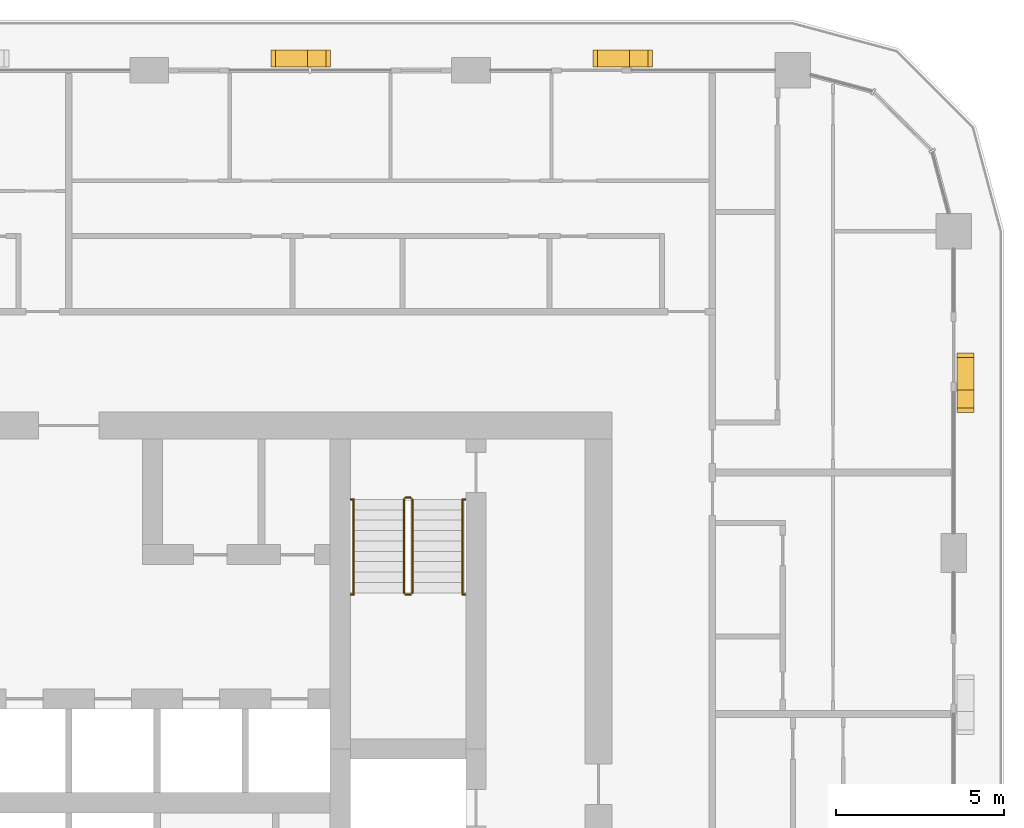
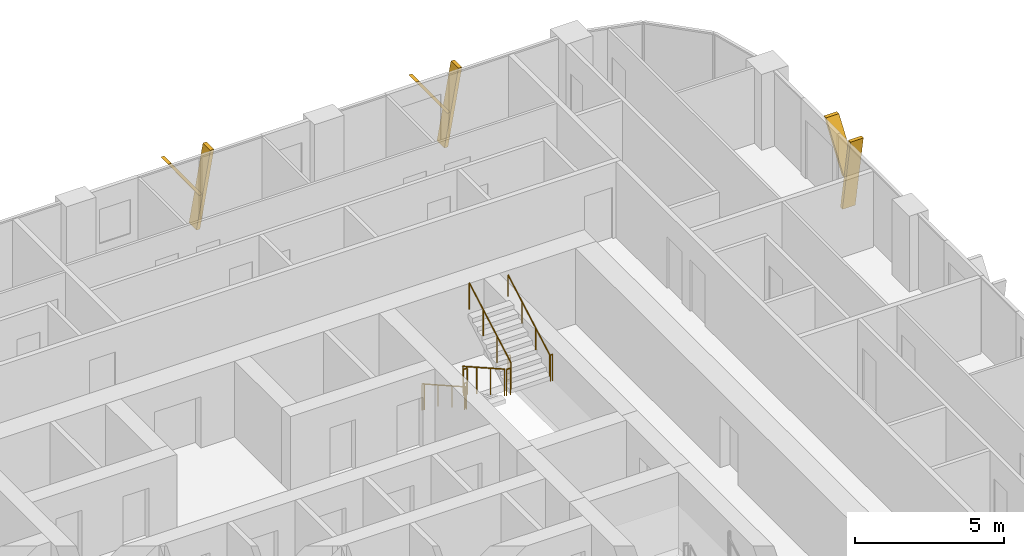
# One storey, part 22 of 22: 10 railings, 6 shading devices.
"""IFC4 building model written with IfcOpenShell, lengths in metres."""

from ifc_helpers import new_model, si_unit, direction, frame, origin, origin_2d, place, context, subcontext, project, spatial, polyline, circle, outline, extrude, material, type_object, element, save


model = new_model("IFC4")

# Units and contexts
model_context = context("Model", 3, precision=1e-05, world=origin(), true_north=direction((0.0, 1.0)))
body_context = subcontext(model_context, "Body", "Model", "MODEL_VIEW")
ifc_project = project(units=[si_unit("LENGTHUNIT", "METRE"), si_unit("AREAUNIT", "SQUARE_METRE"), si_unit("VOLUMEUNIT", "CUBIC_METRE"), si_unit("PLANEANGLEUNIT", "RADIAN"), si_unit("MASSUNIT", "GRAM", prefix="KILO")], contexts=[model_context])

# Site, building, storey
site_placement = place(None, origin())
site = spatial("IfcSite", under=ifc_project, at=site_placement, CompositionType="ELEMENT")
building_placement = place(site_placement, origin())
building = spatial("IfcBuilding", under=site, at=building_placement, Name="Madar Terraces", CompositionType="ELEMENT")
storey_placement = place(building_placement, frame((0.0, 0.0, 170.0)))
storey = spatial("IfcBuildingStorey", under=building, at=storey_placement, Name="L44", CompositionType="ELEMENT", Elevation=170.0)

# Shading devices
ifc_material_1 = material(Name="Aluminium, black anodised", Category="aluminium")
shading_device_type = type_object("IfcShadingDeviceType", Name="Facade fin blade 140 x 500", PredefinedType="USERDEFINED", material=ifc_material_1)
shading_device_1_placement = place(storey_placement, frame((57.949951171875, 38.330078125, 0.0), z_axis=(0.0, 0.0, 1.0), x_axis=(0.0, 1.0, 0.0)))
element("IfcShadingDevice", 1, at=shading_device_1_placement, inside=storey, type_object=shading_device_type, Name="FIN L44 E4", ObjectType="FIN", PredefinedType="USERDEFINED", context=body_context, shape_type="SweptSolid", body=[
    extrude(outline(polyline([(0.0, 0.0), (0.139892578125, 0.0), (-0.403076171875, 3.080078125), (-0.54296875, 3.080078125), (0.0, 0.0)])), frame((0.0, 0.25, 0.0), z_axis=(0.0, -1.0, 0.0), x_axis=(1.0, 0.0, 0.0)), (0.0, 0.0, 1.0), 0.5),
])
shading_device_2_placement = place(storey_placement, frame((57.949951171875, 38.2255859375, 1.385986328125), z_axis=(0.0, 0.0, 1.0), x_axis=(0.0, 1.0, 0.0)))
element("IfcShadingDevice", 2, at=shading_device_2_placement, inside=storey, type_object=shading_device_type, Name="FIN L44 E4 branch", ObjectType="FIN", PredefinedType="USERDEFINED", context=body_context, shape_type="SweptSolid", body=[
    extrude(outline(polyline([(0.0, 0.0), (0.14013671875, 0.0), (1.34130859375, 1.694091796875), (1.201416015625, 1.694091796875), (0.0, 0.0)])), frame((0.0, 0.25, 0.0), z_axis=(0.0, -1.0, 0.0), x_axis=(1.0, 0.0, 0.0)), (0.0, 0.0, 1.0), 0.5),
])
shading_device_3_placement = place(storey_placement, frame((48.070068359375, 48.35009765625, 0.0), z_axis=(0.0, 0.0, 1.0), x_axis=(-1.0, 0.0, 0.0)))
element("IfcShadingDevice", 3, at=shading_device_3_placement, inside=storey, type_object=shading_device_type, Name="FIN L44 N1", ObjectType="FIN", PredefinedType="USERDEFINED", context=body_context, shape_type="SweptSolid", body=[
    extrude(outline(polyline([(0.0, 0.0), (0.14013671875, 0.0), (-0.403076171875, 3.080078125), (-0.54296875, 3.080078125), (0.0, 0.0)])), frame((0.0, 0.25, 0.0), z_axis=(0.0, -1.0, 0.0), x_axis=(1.0, 0.0, 0.0)), (0.0, 0.0, 1.0), 0.5),
])
shading_device_4_placement = place(storey_placement, frame((48.17431640625, 48.35009765625, 1.385986328125), z_axis=(0.0, 0.0, 1.0), x_axis=(-1.0, 0.0, 0.0)))
element("IfcShadingDevice", 4, at=shading_device_4_placement, inside=storey, type_object=shading_device_type, Name="FIN L44 N1 branch", ObjectType="FIN", PredefinedType="USERDEFINED", context=body_context, shape_type="SweptSolid", body=[
    extrude(outline(polyline([(0.0, 0.0), (0.139892578125, 0.0), (1.34130859375, 1.694091796875), (1.201416015625, 1.694091796875), (0.0, 0.0)])), frame((0.0, 0.25, 0.0), z_axis=(0.0, -1.0, 0.0), x_axis=(1.0, 0.0, 0.0)), (0.0, 0.0, 1.0), 0.5),
])
shading_device_5_placement = place(storey_placement, frame((38.469970703125, 48.35009765625, 0.0), z_axis=(0.0, 0.0, 1.0), x_axis=(-1.0, 0.0, 0.0)))
element("IfcShadingDevice", 5, at=shading_device_5_placement, inside=storey, type_object=shading_device_type, Name="FIN L44 N2", ObjectType="FIN", PredefinedType="USERDEFINED", context=body_context, shape_type="SweptSolid", body=[
    extrude(outline(polyline([(0.0, 0.0), (0.139892578125, 0.0), (-0.403076171875, 3.080078125), (-0.54296875, 3.080078125), (0.0, 0.0)])), frame((0.0, 0.25, 0.0), z_axis=(0.0, -1.0, 0.0), x_axis=(1.0, 0.0, 0.0)), (0.0, 0.0, 1.0), 0.5),
])
shading_device_6_placement = place(storey_placement, frame((38.574462890625, 48.35009765625, 1.385986328125), z_axis=(0.0, 0.0, 1.0), x_axis=(-1.0, 0.0, 0.0)))
element("IfcShadingDevice", 6, at=shading_device_6_placement, inside=storey, type_object=shading_device_type, Name="FIN L44 N2 branch", ObjectType="FIN", PredefinedType="USERDEFINED", context=body_context, shape_type="SweptSolid", body=[
    extrude(outline(polyline([(0.0, 0.0), (0.14013671875, 0.0), (1.34130859375, 1.694091796875), (1.201416015625, 1.694091796875), (0.0, 0.0)])), frame((0.0, 0.25, 0.0), z_axis=(0.0, -1.0, 0.0), x_axis=(1.0, 0.0, 0.0)), (0.0, 0.0, 1.0), 0.5),
])

# Railings
ifc_material_2 = material(Name="Stainless steel railing", Category="steel")
railing_type_1 = type_object("IfcRailingType", Name="Stair guard 1100", PredefinedType="GUARDRAIL", material=ifc_material_2)
railing_1_placement = place(storey_placement, frame((41.199951171875, 35.199951171875, 0.175048828125)))
element("IfcRailing", 7, at=railing_1_placement, inside=storey, type_object=railing_type_1, Name="L44 ST2 stair guard 1", PredefinedType="GUARDRAIL", context=body_context, shape_type="SweptSolid", body=[
    extrude(circle(Radius=0.02392578125, at=origin_2d()), frame((0.0, 0.0, 1.076171875), z_axis=(0.0, -0.870833779661, 0.491577591232), x_axis=(1.0, 0.0, 0.0)), (0.0, 0.0, 1.0), 3.203857421875),
    extrude(circle(Radius=0.02099609375, at=origin_2d()), origin(), (0.0, 0.0, 1.0), 1.052001953125),
    extrude(circle(Radius=0.02099609375, at=origin_2d()), frame((0.0, -0.929931640625, 0.52490234375)), (0.0, 0.0, 1.0), 1.052001953125),
    extrude(circle(Radius=0.02099609375, at=origin_2d()), frame((0.0, -1.860107421875, 1.050048828125)), (0.0, 0.0, 1.0), 1.052001953125),
    extrude(circle(Radius=0.02099609375, at=origin_2d()), frame((0.0, -2.7900390625, 1.574951171875)), (0.0, 0.0, 1.0), 1.052001953125),
])
railing_2_placement = place(storey_placement, frame((41.25, 32.360107421875, 1.75)))
element("IfcRailing", 8, at=railing_2_placement, inside=storey, type_object=railing_type_1, Name="L44 ST2 stair guard 2", PredefinedType="GUARDRAIL", context=body_context, shape_type="SweptSolid", body=[
    extrude(circle(Radius=0.02392578125, at=origin_2d()), frame((0.0, 0.0, 1.076171875), z_axis=(1.0, 0.0, 0.0), x_axis=(0.0, 1.0, 0.0)), (0.0, 0.0, 1.0), 0.14990234375),
    extrude(circle(Radius=0.02099609375, at=origin_2d()), origin(), (0.0, 0.0, 1.0), 1.052001953125),
    extrude(circle(Radius=0.02099609375, at=origin_2d()), frame((0.14990234375, 0.0, 0.0)), (0.0, 0.0, 1.0), 1.052001953125),
])
railing_3_placement = place(storey_placement, frame((41.449951171875, 32.409912109375, 1.925048828125)))
element("IfcRailing", 9, at=railing_3_placement, inside=storey, type_object=railing_type_1, Name="L44 ST2 stair guard 3", PredefinedType="GUARDRAIL", context=body_context, shape_type="SweptSolid", body=[
    extrude(circle(Radius=0.02392578125, at=origin_2d()), frame((0.0, 0.0, 1.076171875), z_axis=(0.0, 0.870833779661, 0.491577591232), x_axis=(-1.0, 0.0, 0.0)), (0.0, 0.0, 1.0), 3.203857421875),
    extrude(circle(Radius=0.02099609375, at=origin_2d()), origin(), (0.0, 0.0, 1.0), 1.052001953125),
    extrude(circle(Radius=0.02099609375, at=origin_2d()), frame((0.0, 0.929931640625, 0.52490234375)), (0.0, 0.0, 1.0), 1.052001953125),
    extrude(circle(Radius=0.02099609375, at=origin_2d()), frame((0.0, 1.860107421875, 1.050048828125)), (0.0, 0.0, 1.0), 1.052001953125),
    extrude(circle(Radius=0.02099609375, at=origin_2d()), frame((0.0, 2.7900390625, 1.574951171875)), (0.0, 0.0, 1.0), 1.052001953125),
])
railing_4_placement = place(storey_placement, frame((41.25, 35.25, 0.0)))
element("IfcRailing", 10, at=railing_4_placement, inside=storey, type_object=railing_type_1, Name="L44 ST2 stair guard 4", PredefinedType="GUARDRAIL", context=body_context, shape_type="SweptSolid", body=[
    extrude(circle(Radius=0.02392578125, at=origin_2d()), frame((0.0, 0.0, 1.076171875), z_axis=(1.0, 0.0, 0.0), x_axis=(0.0, 1.0, 0.0)), (0.0, 0.0, 1.0), 0.14990234375),
    extrude(circle(Radius=0.02099609375, at=origin_2d()), origin(), (0.0, 0.0, 1.0), 1.052001953125),
    extrude(circle(Radius=0.02099609375, at=origin_2d()), frame((0.14990234375, 0.0, 0.0)), (0.0, 0.0, 1.0), 1.052001953125),
])
railing_5_placement = place(storey_placement, frame((39.6201171875, 32.360107421875, 1.75)))
element("IfcRailing", 11, at=railing_5_placement, inside=storey, type_object=railing_type_1, Name="L44 stair guard seat 1", PredefinedType="GUARDRAIL", context=body_context, shape_type="SweptSolid", body=[
    extrude(circle(Radius=0.02392578125, at=origin_2d()), frame((0.0, 0.0, 1.076171875), z_axis=(1.0, 0.0, 0.0), x_axis=(0.0, 1.0, 0.0)), (0.0, 0.0, 1.0), 0.079833984375),
    extrude(circle(Radius=0.02099609375, at=origin_2d()), origin(), (0.0, 0.0, 1.0), 1.052001953125),
    extrude(circle(Radius=0.02099609375, at=origin_2d()), frame((0.079833984375, 0.0, 0.0)), (0.0, 0.0, 1.0), 1.052001953125),
])
railing_6_placement = place(storey_placement, frame((42.949951171875, 32.360107421875, 1.75)))
element("IfcRailing", 12, at=railing_6_placement, inside=storey, type_object=railing_type_1, Name="L44 stair guard seat 2", PredefinedType="GUARDRAIL", context=body_context, shape_type="SweptSolid", body=[
    extrude(circle(Radius=0.02392578125, at=origin_2d()), frame((0.0, 0.0, 1.076171875), z_axis=(1.0, 0.0, 0.0), x_axis=(0.0, 1.0, 0.0)), (0.0, 0.0, 1.0), 0.080078125),
    extrude(circle(Radius=0.02099609375, at=origin_2d()), origin(), (0.0, 0.0, 1.0), 1.052001953125),
    extrude(circle(Radius=0.02099609375, at=origin_2d()), frame((0.080078125, 0.0, 0.0)), (0.0, 0.0, 1.0), 1.052001953125),
])
railing_7_placement = place(storey_placement, frame((39.6201171875, 35.199951171875, 0.0)))
element("IfcRailing", 13, at=railing_7_placement, inside=storey, type_object=railing_type_1, Name="L44 stair guard floor 1", PredefinedType="GUARDRAIL", context=body_context, shape_type="SweptSolid", body=[
    extrude(circle(Radius=0.02392578125, at=origin_2d()), frame((0.0, 0.0, 1.076171875), z_axis=(1.0, 0.0, 0.0), x_axis=(0.0, 1.0, 0.0)), (0.0, 0.0, 1.0), 0.079833984375),
    extrude(circle(Radius=0.02099609375, at=origin_2d()), origin(), (0.0, 0.0, 1.0), 1.052001953125),
    extrude(circle(Radius=0.02099609375, at=origin_2d()), frame((0.079833984375, 0.0, 0.0)), (0.0, 0.0, 1.0), 1.052001953125),
])
railing_8_placement = place(storey_placement, frame((42.949951171875, 35.199951171875, 0.0)))
element("IfcRailing", 14, at=railing_8_placement, inside=storey, type_object=railing_type_1, Name="L44 stair guard floor 2", PredefinedType="GUARDRAIL", context=body_context, shape_type="SweptSolid", body=[
    extrude(circle(Radius=0.02392578125, at=origin_2d()), frame((0.0, 0.0, 1.076171875), z_axis=(1.0, 0.0, 0.0), x_axis=(0.0, 1.0, 0.0)), (0.0, 0.0, 1.0), 0.080078125),
    extrude(circle(Radius=0.02099609375, at=origin_2d()), origin(), (0.0, 0.0, 1.0), 1.052001953125),
    extrude(circle(Radius=0.02099609375, at=origin_2d()), frame((0.080078125, 0.0, 0.0)), (0.0, 0.0, 1.0), 1.052001953125),
])
ifc_material_3 = material(Name="Stainless steel railing", Category="steel")
railing_type_2 = type_object("IfcRailingType", Name="Stair handrail 900", PredefinedType="HANDRAIL", material=ifc_material_3)
railing_9_placement = place(storey_placement, frame((39.699951171875, 35.199951171875, 0.175048828125)))
element("IfcRailing", 15, at=railing_9_placement, inside=storey, type_object=railing_type_2, Name="L44 ST2 stair handrail 1", PredefinedType="HANDRAIL", context=body_context, shape_type="SweptSolid", body=[
    extrude(circle(Radius=0.02392578125, at=origin_2d()), frame((0.0, 0.0, 0.8759765625), z_axis=(0.0, -0.870833779661, 0.491577591232), x_axis=(1.0, 0.0, 0.0)), (0.0, 0.0, 1.0), 3.203857421875),
    extrude(circle(Radius=0.02099609375, at=origin_2d()), origin(), (0.0, 0.0, 1.0), 0.851806640625),
    extrude(circle(Radius=0.02099609375, at=origin_2d()), frame((0.0, -0.929931640625, 0.52490234375)), (0.0, 0.0, 1.0), 0.851806640625),
    extrude(circle(Radius=0.02099609375, at=origin_2d()), frame((0.0, -1.860107421875, 1.050048828125)), (0.0, 0.0, 1.0), 0.851806640625),
    extrude(circle(Radius=0.02099609375, at=origin_2d()), frame((0.0, -2.7900390625, 1.574951171875)), (0.0, 0.0, 1.0), 0.851806640625),
])
railing_10_placement = place(storey_placement, frame((42.949951171875, 32.409912109375, 1.925048828125)))
element("IfcRailing", 16, at=railing_10_placement, inside=storey, type_object=railing_type_2, Name="L44 ST2 stair handrail 2", PredefinedType="HANDRAIL", context=body_context, shape_type="SweptSolid", body=[
    extrude(circle(Radius=0.02392578125, at=origin_2d()), frame((0.0, 0.0, 0.8759765625), z_axis=(0.0, 0.870833779661, 0.491577591232), x_axis=(-1.0, 0.0, 0.0)), (0.0, 0.0, 1.0), 3.203857421875),
    extrude(circle(Radius=0.02099609375, at=origin_2d()), origin(), (0.0, 0.0, 1.0), 0.851806640625),
    extrude(circle(Radius=0.02099609375, at=origin_2d()), frame((0.0, 0.929931640625, 0.52490234375)), (0.0, 0.0, 1.0), 0.851806640625),
    extrude(circle(Radius=0.02099609375, at=origin_2d()), frame((0.0, 1.860107421875, 1.050048828125)), (0.0, 0.0, 1.0), 0.851806640625),
    extrude(circle(Radius=0.02099609375, at=origin_2d()), frame((0.0, 2.7900390625, 1.574951171875)), (0.0, 0.0, 1.0), 0.851806640625),
])

save(model, "model.ifc")
